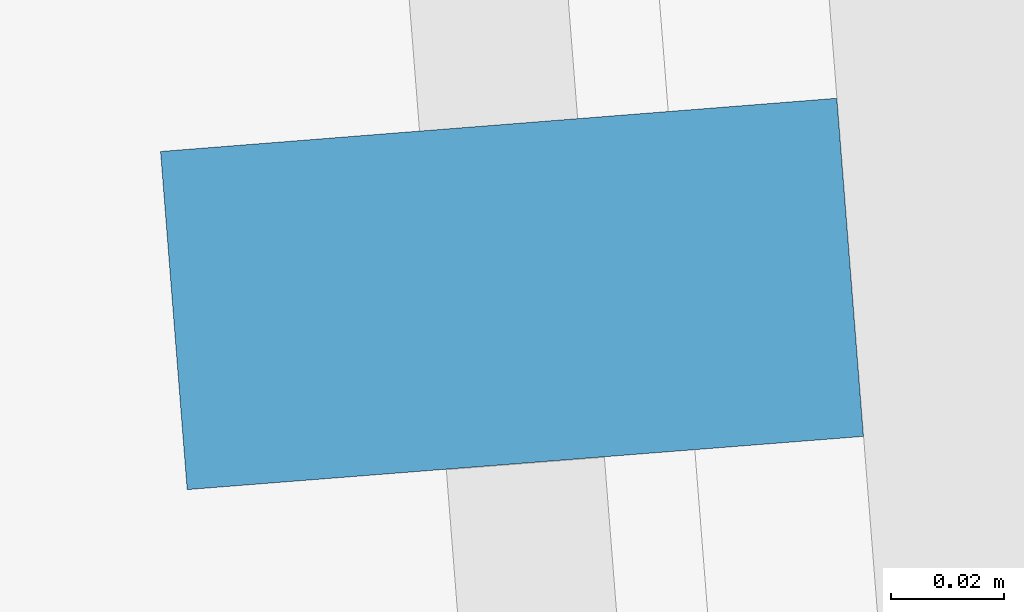
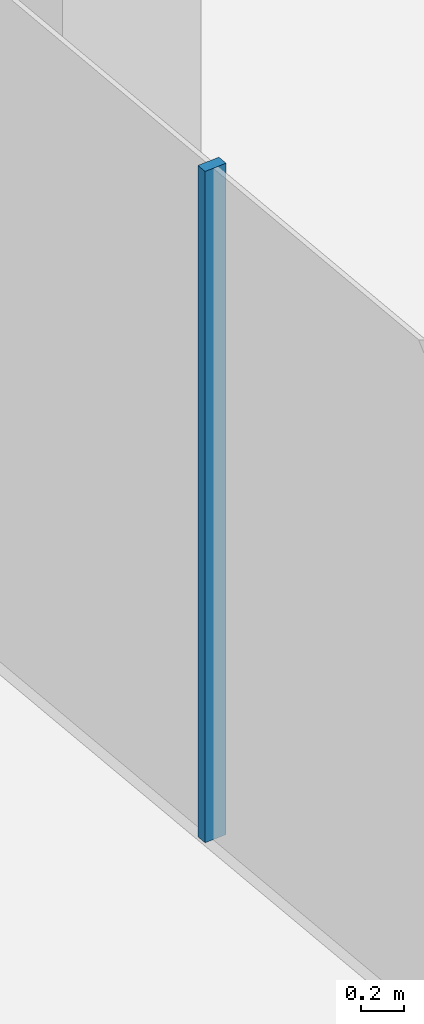
# One storey, part 9 of 23: 1 member, 1 element without a shape of its own.
"""IFC4 building model written with IfcOpenShell, lengths in metres."""

from ifc_helpers import new_model, si_unit, direction, frame, origin, origin_2d, place, context, subcontext, project, spatial, rectangle, extrude, material, layer, layer_set, material_profile, profile_set, type_object, element, aggregate, save


model = new_model("IFC4")

# Units and contexts
model_context = context("Model", 3, precision=1e-05, world=origin(), true_north=direction((0.0, 1.0)))
body_context = subcontext(model_context, "Body", "Model", "MODEL_VIEW")
ifc_project = project(units=[si_unit("LENGTHUNIT", "METRE"), si_unit("AREAUNIT", "SQUARE_METRE"), si_unit("VOLUMEUNIT", "CUBIC_METRE"), si_unit("PLANEANGLEUNIT", "RADIAN"), si_unit("MASSUNIT", "GRAM", prefix="KILO")], contexts=[model_context])

# Site, building, storey
site_placement = place(None, origin())
site = spatial("IfcSite", under=ifc_project, at=site_placement, CompositionType="ELEMENT")
building_placement = place(site_placement, origin())
building = spatial("IfcBuilding", under=site, at=building_placement, Name="Welwitschia Terrace Campus", CompositionType="ELEMENT")
storey_placement = place(building_placement, frame((0.0, 0.0, 306.199951171875)))
storey = spatial("IfcBuildingStorey", under=building, at=storey_placement, Name="L68", CompositionType="ELEMENT", Elevation=306.199951171875)

# Curtain wall, member
ifc_material_1 = material(Name="Bronze anodised aluminium", Category="aluminium")
ifc_layer = layer(ifc_material_1, 0.1201171875)
ifc_layer_set = layer_set([ifc_layer], Name="Bronze anodised aluminium")
curtain_wall_type = type_object("IfcCurtainWallType", Name="Curtain wall CW2 tower 6000", PredefinedType="NOTDEFINED", material=ifc_layer_set)
curtain_wall_placement = place(storey_placement, origin())
curtain_wall = element("IfcCurtainWall", 1, at=curtain_wall_placement, inside=storey, type_object=curtain_wall_type, Name="CW L68.11.0", PredefinedType="NOTDEFINED")
ifc_material_2 = material(Name="Bronze anodised aluminium", Category="aluminium")
ifc_material_profile = material_profile(ifc_material_2, rectangle(XDim=0.1201171875, YDim=0.06005859375, at=origin_2d()))
ifc_profile_set = profile_set([ifc_material_profile], Name="Bronze anodised aluminium")
member_type = type_object("IfcMemberType", Name="Mullion 60x120", PredefinedType="MULLION", material=ifc_profile_set)
member_placement = place(storey_placement, frame((-2.365966796875, 44.7724609375, 0.0), z_axis=(0.0, 0.0, 1.0), x_axis=(0.996917333733, 0.078459095728, 0.0)))
member = element("IfcMember", 2, at=member_placement, type_object=member_type, Name="Mullion L68.11.0.3", PredefinedType="MULLION", context=body_context, shape_type="SweptSolid", body=[
    extrude(rectangle(XDim=0.1201171875, YDim=0.06005859375, at=origin_2d()), origin(), (0.0, 0.0, 1.0), 3.85009765625),
])
aggregate(curtain_wall, [member])

save(model, "model.ifc")
